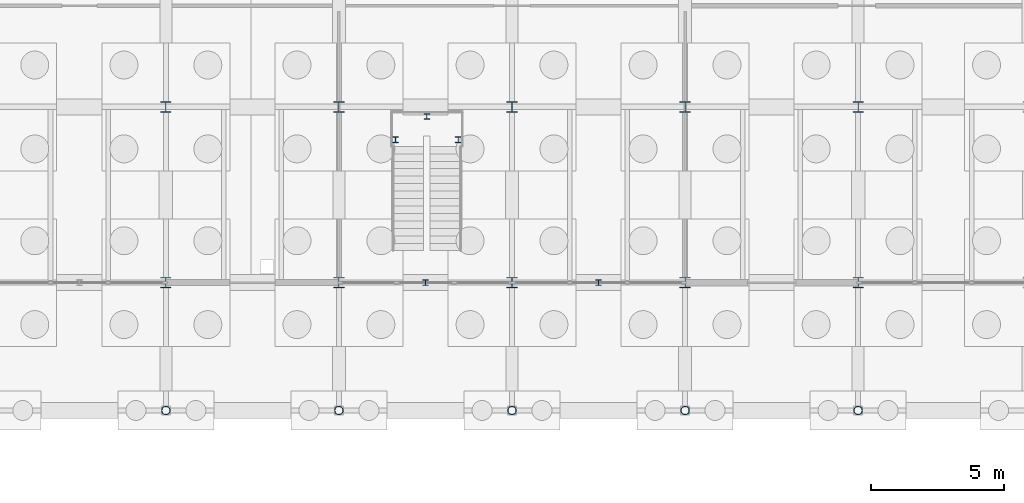
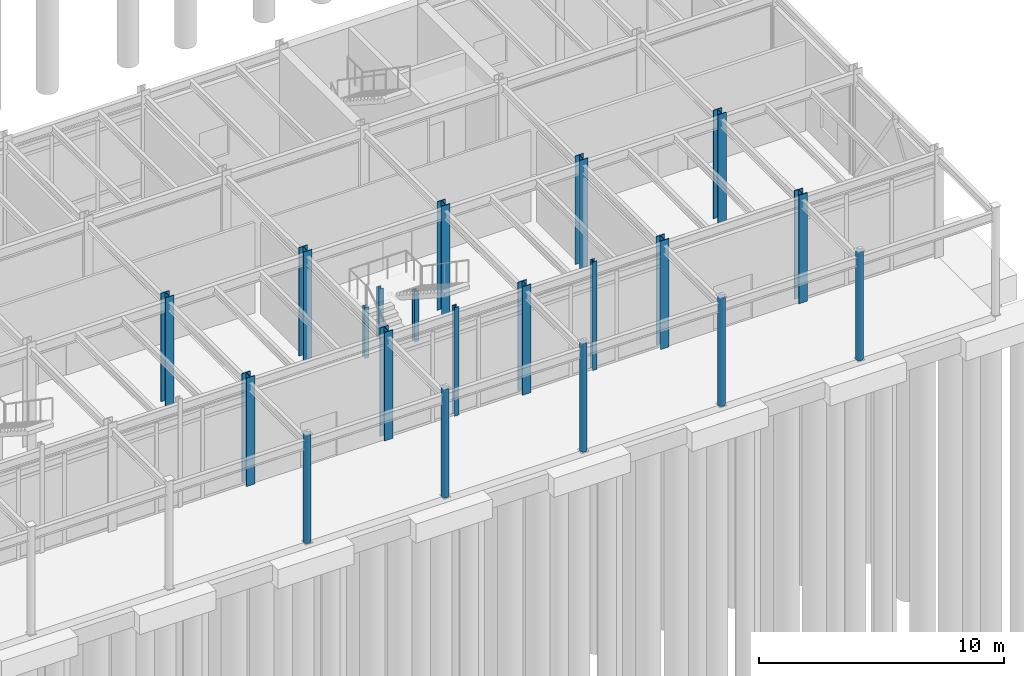
# One storey, part 24 of 82: 20 columns.
"""IFC4 building model written with IfcOpenShell, lengths in metres."""

from ifc_helpers import new_model, si_unit, direction, frame, origin, origin_2d, place, context, subcontext, project, spatial, hollow_circle, i_section, extrude, material, material_profile, profile_set, type_object, element, save


model = new_model("IFC4")

# Units and contexts
model_context = context("Model", 3, precision=1e-05, world=origin(), true_north=direction((0.0, 1.0)))
body_context = subcontext(model_context, "Body", "Model", "MODEL_VIEW")
ifc_project = project(units=[si_unit("LENGTHUNIT", "METRE"), si_unit("AREAUNIT", "SQUARE_METRE"), si_unit("VOLUMEUNIT", "CUBIC_METRE"), si_unit("PLANEANGLEUNIT", "RADIAN"), si_unit("MASSUNIT", "GRAM", prefix="KILO")], contexts=[model_context])

# Site, building, storey
site_placement = place(None, origin())
site = spatial("IfcSite", under=ifc_project, at=site_placement, CompositionType="ELEMENT")
building_placement = place(site_placement, origin())
building = spatial("IfcBuilding", under=site, at=building_placement, Name="Trelmorton Wharf Fire Station", CompositionType="ELEMENT")
storey_placement = place(building_placement, origin())
storey = spatial("IfcBuildingStorey", under=building, at=storey_placement, Name="L00", CompositionType="ELEMENT", Elevation=0.0)

# Columns
ifc_material_1 = material(Name="Steel Grade 350", Category="steel")
ifc_material_profile_1 = material_profile(ifc_material_1, i_section(OverallWidth=0.205078125, OverallDepth=0.2099609375, WebThickness=0.00927734375, FlangeThickness=0.01416015625, FilletRadius=0.011474609375, at=origin_2d()), Name="200UC59.5")
ifc_profile_set_1 = profile_set([ifc_material_profile_1], Name="Steel Grade 350")
column_type_1 = type_object("IfcColumnType", Name="COL_200UC60", PredefinedType="COLUMN", material=ifc_profile_set_1)
for number, where, z_axis, x_axis, name in (
    (1, (138.6201171875, 13.169921875, 0.0), (0.0, 0.0, 1.0), (1.0, 0.0, 0.0), "COL-STS-05-1"),
    (2, (140.97998046875, 13.169921875, 0.0), (0.0, 0.0, 1.0), (1.0, 0.0, 0.0), "COL-STS-05-2"),
    (3, (139.800048828125, 14.0400390625, 0.0), (0.0, 0.0, 1.0), (1.0, 0.0, 0.0), "COL-STS-05-3"),
):
    element("IfcColumn", number, at=place(storey_placement, frame(where, z_axis=z_axis, x_axis=x_axis)), inside=storey, type_object=column_type_1, Name=name, PredefinedType="COLUMN", context=body_context, shape_type="SweptSolid", body=[
        extrude(i_section(OverallWidth=0.205078125, OverallDepth=0.2099609375, WebThickness=0.00927734375, FlangeThickness=0.01416015625, FilletRadius=0.011474609375, at=origin_2d()), origin(), (0.0, 0.0, 1.0), 2.52001953125),
    ])
ifc_material_profile_2 = material_profile(ifc_material_1, i_section(OverallWidth=0.39990234375, OverallDepth=0.39990234375, WebThickness=0.02001953125, FlangeThickness=0.031982421875, at=origin_2d()), Name="400WC270")
ifc_profile_set_2 = profile_set([ifc_material_profile_2], Name="Steel Grade 350")
column_type_2 = type_object("IfcColumnType", Name="COL_400WC270", PredefinedType="COLUMN", material=ifc_profile_set_2)
for number, where, z_axis, x_axis, name in (
    (4, (130.0, 7.800048828125, 0.0), (0.0, 0.0, 1.0), (1.0, 0.0, 0.0), "COL-L00-0193"),
    (5, (130.0, 14.39990234375, 0.0), (0.0, 0.0, 1.0), (1.0, 0.0, 0.0), "COL-L00-0194"),
    (6, (136.5, 7.800048828125, 0.0), (0.0, 0.0, 1.0), (1.0, 0.0, 0.0), "COL-L00-0202"),
    (7, (136.5, 14.39990234375, 0.0), (0.0, 0.0, 1.0), (1.0, 0.0, 0.0), "COL-L00-0203"),
    (8, (143.0, 7.800048828125, 0.0), (0.0, 0.0, 1.0), (1.0, 0.0, 0.0), "COL-L00-0211"),
    (9, (143.0, 14.39990234375, 0.0), (0.0, 0.0, 1.0), (1.0, 0.0, 0.0), "COL-L00-0212"),
    (10, (149.5, 7.800048828125, 0.0), (0.0, 0.0, 1.0), (1.0, 0.0, 0.0), "COL-L00-0220"),
    (11, (149.5, 14.39990234375, 0.0), (0.0, 0.0, 1.0), (1.0, 0.0, 0.0), "COL-L00-0221"),
    (12, (156.0, 7.800048828125, 0.0), (0.0, 0.0, 1.0), (1.0, 0.0, 0.0), "COL-L00-0229"),
    (13, (156.0, 14.39990234375, 0.0), (0.0, 0.0, 1.0), (1.0, 0.0, 0.0), "COL-L00-0230"),
):
    element("IfcColumn", number, at=place(storey_placement, frame(where, z_axis=z_axis, x_axis=x_axis)), inside=storey, type_object=column_type_2, Name=name, PredefinedType="COLUMN", context=body_context, shape_type="SweptSolid", body=[
        extrude(i_section(OverallWidth=0.39990234375, OverallDepth=0.39990234375, WebThickness=0.02001953125, FlangeThickness=0.031982421875, at=origin_2d()), origin(), (0.0, 0.0, 1.0), 5.39990234375),
    ])
ifc_material_2 = material(Name="Steel C450L0 (450 MPa)", Category="steel")
ifc_material_profile_3 = material_profile(ifc_material_2, hollow_circle(Radius=0.161865234375, WallThickness=0.0126953125, at=origin_2d()), Name="323.9x12.7CHS")
ifc_profile_set_3 = profile_set([ifc_material_profile_3], Name="Steel C450L0 (450 MPa)")
column_type_3 = type_object("IfcColumnType", Name="COL_CHS324", PredefinedType="COLUMN", material=ifc_profile_set_3)
for number, where, z_axis, x_axis, name in (
    (14, (130.0, 3.0, 0.0), (0.0, 0.0, 1.0), (1.0, 0.0, 0.0), "COL-L00-0192"),
    (15, (136.5, 3.0, 0.0), (0.0, 0.0, 1.0), (1.0, 0.0, 0.0), "COL-L00-0201"),
    (16, (143.0, 3.0, 0.0), (0.0, 0.0, 1.0), (1.0, 0.0, 0.0), "COL-L00-0210"),
    (17, (149.5, 3.0, 0.0), (0.0, 0.0, 1.0), (1.0, 0.0, 0.0), "COL-L00-0219"),
    (18, (156.0, 3.0, 0.0), (0.0, 0.0, 1.0), (1.0, 0.0, 0.0), "COL-L00-0228"),
):
    element("IfcColumn", number, at=place(storey_placement, frame(where, z_axis=z_axis, x_axis=x_axis)), inside=storey, type_object=column_type_3, Name=name, PredefinedType="COLUMN", context=body_context, shape_type="SweptSolid", body=[
        extrude(hollow_circle(Radius=0.161865234375, WallThickness=0.0126953125, at=origin_2d()), origin(), (0.0, 0.0, 1.0), 5.39990234375),
    ])
ifc_material_profile_4 = material_profile(ifc_material_1, i_section(OverallWidth=0.205078125, OverallDepth=0.2099609375, WebThickness=0.00927734375, FlangeThickness=0.01416015625, FilletRadius=0.011474609375, at=origin_2d()), Name="200UC59.5")
ifc_profile_set_4 = profile_set([ifc_material_profile_4], Name="Steel Grade 350")
column_type_4 = type_object("IfcColumnType", Name="PIL_200UC60", PredefinedType="PILASTER", material=ifc_profile_set_4)
for number, where, z_axis, x_axis, name in (
    (19, (139.75, 7.800048828125, 0.0), (0.0, 0.0, 1.0), (1.0, 0.0, 0.0), "PIL-S-L00-020"),
    (20, (146.25, 7.800048828125, 0.0), (0.0, 0.0, 1.0), (1.0, 0.0, 0.0), "PIL-S-L00-028"),
):
    element("IfcColumn", number, at=place(storey_placement, frame(where, z_axis=z_axis, x_axis=x_axis)), inside=storey, type_object=column_type_4, Name=name, PredefinedType="PILASTER", context=body_context, shape_type="SweptSolid", body=[
        extrude(i_section(OverallWidth=0.205078125, OverallDepth=0.2099609375, WebThickness=0.00927734375, FlangeThickness=0.01416015625, FilletRadius=0.011474609375, at=origin_2d()), origin(), (0.0, 0.0, 1.0), 5.39990234375),
    ])

save(model, "model.ifc")
